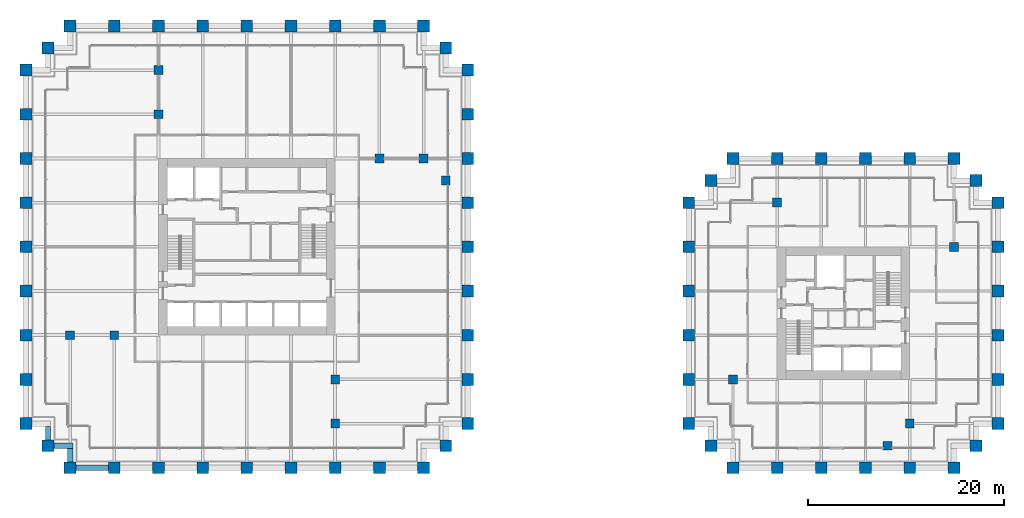
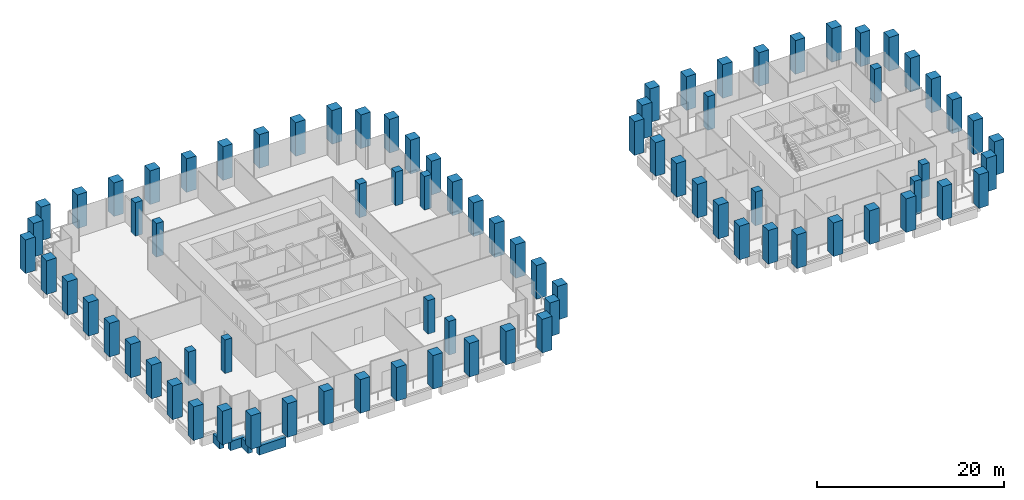
# One storey, part 1 of 36: 82 columns, 4 beams.
"""IFC4 building model written with IfcOpenShell, lengths in metres."""

from ifc_helpers import new_model, si_unit, direction, frame, origin, origin_2d, place, context, subcontext, project, spatial, rectangle, extrude, material, material_profile, profile_set, type_object, element, save


model = new_model("IFC4")

# Units and contexts
model_context = context("Model", 3, precision=1e-05, world=origin(), true_north=direction((0.0, 1.0)))
body_context = subcontext(model_context, "Body", "Model", "MODEL_VIEW")
ifc_project = project(units=[si_unit("LENGTHUNIT", "METRE"), si_unit("AREAUNIT", "SQUARE_METRE"), si_unit("VOLUMEUNIT", "CUBIC_METRE"), si_unit("PLANEANGLEUNIT", "RADIAN"), si_unit("MASSUNIT", "GRAM", prefix="KILO")], contexts=[model_context])

# Site, building, storey
site_placement = place(None, origin())
site = spatial("IfcSite", under=ifc_project, at=site_placement, CompositionType="ELEMENT")
building_placement = place(site_placement, origin())
building = spatial("IfcBuilding", under=site, at=building_placement, Name="Altepetl Exchange Towers", CompositionType="ELEMENT")
storey_placement = place(building_placement, frame((0.0, 0.0, 43.0)))
storey = spatial("IfcBuildingStorey", under=building, at=storey_placement, Name="L09", CompositionType="ELEMENT", Elevation=43.0)

# Columns
ifc_material_1 = material(Name="Concrete C70/85", Category="concrete")
ifc_material_profile_1 = material_profile(ifc_material_1, rectangle(XDim=0.89990234375, YDim=0.89990234375, at=origin_2d()), Name="900 x 900")
ifc_profile_set_1 = profile_set([ifc_material_profile_1], Name="Concrete C70/85")
column_type_1 = type_object("IfcColumnType", Name="Interior column 900", PredefinedType="COLUMN", material=ifc_profile_set_1)
for number, where, name in (
    (1, (31.5, 40.5, 0.0), "col:A:L09:040"),
    (2, (36.0, 40.5, 0.0), "col:A:L09:041"),
    (3, (40.5, 63.0, 0.0), "col:A:L09:042"),
    (4, (40.5, 67.5, 0.0), "col:A:L09:043"),
    (5, (58.5, 31.5, 0.0), "col:A:L09:044"),
    (6, (58.5, 36.0, 0.0), "col:A:L09:045"),
    (7, (63.0, 58.5, 0.0), "col:A:L09:046"),
    (8, (67.5, 58.5, 0.0), "col:A:L09:047"),
    (9, (69.75, 56.25, 0.0), "col:A:L09:048"),
    (10, (99.0, 36.0, 0.0), "col:B:L09:028"),
    (11, (103.5, 54.0, 0.0), "col:B:L09:029"),
    (12, (114.75, 29.25, 0.0), "col:B:L09:030"),
    (13, (117.0, 31.5, 0.0), "col:B:L09:031"),
    (14, (121.5, 49.5, 0.0), "col:B:L09:032"),
):
    element("IfcColumn", number, at=place(storey_placement, frame(where)), inside=storey, type_object=column_type_1, Name=name, PredefinedType="COLUMN", context=body_context, shape_type="SweptSolid", body=[
        extrude(rectangle(XDim=0.89990234375, YDim=0.89990234375, at=origin_2d()), origin(), (0.0, 0.0, 1.0), 4.39990234375),
    ])
ifc_material_2 = material(Name="Concrete C70/85 precast with cantera amarilla facing", Category="concrete")
ifc_material_profile_2 = material_profile(ifc_material_2, rectangle(XDim=1.199951171875, YDim=1.199951171875, at=origin_2d()), Name="1200 x 1200")
ifc_profile_set_2 = profile_set([ifc_material_profile_2], Name="Concrete C70/85 precast with cantera amarilla facing")
column_type_2 = type_object("IfcColumnType", Name="Perimeter column 1200 cantera amarilla", PredefinedType="COLUMN", material=ifc_profile_set_2)
for number, where, name in (
    (15, (58.5, 27.0, 0.0), "col:A:L09:006"),
    (16, (63.0, 27.0, 0.0), "col:A:L09:007"),
    (17, (67.5, 27.0, 0.0), "col:A:L09:008"),
    (18, (69.75, 29.25, 0.0), "col:A:L09:009"),
    (19, (72.0, 31.5, 0.0), "col:A:L09:010"),
    (20, (72.0, 36.0, 0.0), "col:A:L09:011"),
    (21, (72.0, 40.5, 0.0), "col:A:L09:012"),
    (22, (72.0, 45.0, 0.0), "col:A:L09:013"),
    (23, (72.0, 49.5, 0.0), "col:A:L09:014"),
    (24, (72.0, 54.0, 0.0), "col:A:L09:015"),
    (25, (126.0, 49.5, 0.0), "col:B:L09:011"),
    (26, (126.0, 54.0, 0.0), "col:B:L09:012"),
    (27, (123.75, 56.25, 0.0), "col:B:L09:013"),
    (28, (121.5, 58.5, 0.0), "col:B:L09:014"),
    (29, (117.0, 58.5, 0.0), "col:B:L09:015"),
    (30, (112.5, 58.5, 0.0), "col:B:L09:016"),
    (31, (108.0, 58.5, 0.0), "col:B:L09:017"),
):
    element("IfcColumn", number, at=place(storey_placement, frame(where)), inside=storey, type_object=column_type_2, Name=name, PredefinedType="COLUMN", context=body_context, shape_type="SweptSolid", body=[
        extrude(rectangle(XDim=1.199951171875, YDim=1.199951171875, at=origin_2d()), origin(), (0.0, 0.0, 1.0), 4.39990234375),
    ])
ifc_material_3 = material(Name="Concrete C70/85 precast with cantera blanca facing", Category="concrete")
ifc_material_profile_3 = material_profile(ifc_material_3, rectangle(XDim=1.199951171875, YDim=1.199951171875, at=origin_2d()), Name="1200 x 1200")
ifc_profile_set_3 = profile_set([ifc_material_profile_3], Name="Concrete C70/85 precast with cantera blanca facing")
column_type_3 = type_object("IfcColumnType", Name="Perimeter column 1200 cantera blanca", PredefinedType="COLUMN", material=ifc_profile_set_3)
for number, where, name in (
    (32, (31.5, 27.0, 0.0), "col:A:L09:000"),
    (33, (36.0, 27.0, 0.0), "col:A:L09:001"),
    (34, (40.5, 27.0, 0.0), "col:A:L09:002"),
    (35, (45.0, 27.0, 0.0), "col:A:L09:003"),
    (36, (49.5, 27.0, 0.0), "col:A:L09:004"),
    (37, (54.0, 27.0, 0.0), "col:A:L09:005"),
    (38, (27.0, 36.0, 0.0), "col:A:L09:037"),
    (39, (27.0, 31.5, 0.0), "col:A:L09:038"),
    (40, (29.25, 29.25, 0.0), "col:A:L09:039"),
    (41, (117.0, 27.0, 0.0), "col:B:L09:004"),
    (42, (121.5, 27.0, 0.0), "col:B:L09:005"),
    (43, (123.75, 29.25, 0.0), "col:B:L09:006"),
    (44, (126.0, 31.5, 0.0), "col:B:L09:007"),
    (45, (126.0, 36.0, 0.0), "col:B:L09:008"),
    (46, (126.0, 40.5, 0.0), "col:B:L09:009"),
    (47, (126.0, 45.0, 0.0), "col:B:L09:010"),
):
    element("IfcColumn", number, at=place(storey_placement, frame(where)), inside=storey, type_object=column_type_3, Name=name, PredefinedType="COLUMN", context=body_context, shape_type="SweptSolid", body=[
        extrude(rectangle(XDim=1.199951171875, YDim=1.199951171875, at=origin_2d()), origin(), (0.0, 0.0, 1.0), 4.39990234375),
    ])
ifc_material_4 = material(Name="Concrete C70/85 precast with cantera rosa facing", Category="concrete")
ifc_material_profile_4 = material_profile(ifc_material_4, rectangle(XDim=1.199951171875, YDim=1.199951171875, at=origin_2d()), Name="1200 x 1200")
ifc_profile_set_4 = profile_set([ifc_material_profile_4], Name="Concrete C70/85 precast with cantera rosa facing")
column_type_4 = type_object("IfcColumnType", Name="Perimeter column 1200 cantera rosa", PredefinedType="COLUMN", material=ifc_profile_set_4)
for number, where, name in (
    (48, (72.0, 58.5, 0.0), "col:A:L09:016"),
    (49, (72.0, 63.0, 0.0), "col:A:L09:017"),
    (50, (72.0, 67.5, 0.0), "col:A:L09:018"),
    (51, (69.75, 69.75, 0.0), "col:A:L09:019"),
    (52, (67.5, 72.0, 0.0), "col:A:L09:020"),
    (53, (63.0, 72.0, 0.0), "col:A:L09:021"),
    (54, (58.5, 72.0, 0.0), "col:A:L09:022"),
    (55, (54.0, 72.0, 0.0), "col:A:L09:023"),
    (56, (49.5, 72.0, 0.0), "col:A:L09:024"),
    (57, (45.0, 72.0, 0.0), "col:A:L09:025"),
    (58, (103.5, 58.5, 0.0), "col:B:L09:018"),
    (59, (99.0, 58.5, 0.0), "col:B:L09:019"),
    (60, (96.75, 56.25, 0.0), "col:B:L09:020"),
    (61, (94.5, 54.0, 0.0), "col:B:L09:021"),
    (62, (94.5, 49.5, 0.0), "col:B:L09:022"),
    (63, (94.5, 45.0, 0.0), "col:B:L09:023"),
    (64, (94.5, 40.5, 0.0), "col:B:L09:024"),
    (65, (94.5, 36.0, 0.0), "col:B:L09:025"),
):
    element("IfcColumn", number, at=place(storey_placement, frame(where)), inside=storey, type_object=column_type_4, Name=name, PredefinedType="COLUMN", context=body_context, shape_type="SweptSolid", body=[
        extrude(rectangle(XDim=1.199951171875, YDim=1.199951171875, at=origin_2d()), origin(), (0.0, 0.0, 1.0), 4.39990234375),
    ])
ifc_material_5 = material(Name="Concrete C70/85 precast with tezontle facing", Category="concrete")
ifc_material_profile_5 = material_profile(ifc_material_5, rectangle(XDim=1.199951171875, YDim=1.199951171875, at=origin_2d()), Name="1200 x 1200")
ifc_profile_set_5 = profile_set([ifc_material_profile_5], Name="Concrete C70/85 precast with tezontle facing")
column_type_5 = type_object("IfcColumnType", Name="Perimeter column 1200 tezontle", PredefinedType="COLUMN", material=ifc_profile_set_5)
for number, where, name in (
    (66, (40.5, 72.0, 0.0), "col:A:L09:026"),
    (67, (36.0, 72.0, 0.0), "col:A:L09:027"),
    (68, (31.5, 72.0, 0.0), "col:A:L09:028"),
    (69, (29.25, 69.75, 0.0), "col:A:L09:029"),
    (70, (27.0, 67.5, 0.0), "col:A:L09:030"),
    (71, (27.0, 63.0, 0.0), "col:A:L09:031"),
    (72, (27.0, 58.5, 0.0), "col:A:L09:032"),
    (73, (27.0, 54.0, 0.0), "col:A:L09:033"),
    (74, (27.0, 49.5, 0.0), "col:A:L09:034"),
    (75, (27.0, 45.0, 0.0), "col:A:L09:035"),
    (76, (27.0, 40.5, 0.0), "col:A:L09:036"),
    (77, (99.0, 27.0, 0.0), "col:B:L09:000"),
    (78, (103.5, 27.0, 0.0), "col:B:L09:001"),
    (79, (108.0, 27.0, 0.0), "col:B:L09:002"),
    (80, (112.5, 27.0, 0.0), "col:B:L09:003"),
    (81, (94.5, 31.5, 0.0), "col:B:L09:026"),
    (82, (96.75, 29.25, 0.0), "col:B:L09:027"),
):
    element("IfcColumn", number, at=place(storey_placement, frame(where)), inside=storey, type_object=column_type_5, Name=name, PredefinedType="COLUMN", context=body_context, shape_type="SweptSolid", body=[
        extrude(rectangle(XDim=1.199951171875, YDim=1.199951171875, at=origin_2d()), origin(), (0.0, 0.0, 1.0), 4.39990234375),
    ])

# Beams
ifc_material_6 = material(Name="Concrete C50/60 precast with cantera blanca facing", Category="concrete")
ifc_material_profile_6 = material_profile(ifc_material_6, rectangle(XDim=0.550048828125, YDim=1.199951171875, at=origin_2d()), Name="550 x 1200")
ifc_profile_set_6 = profile_set([ifc_material_profile_6], Name="Concrete C50/60 precast with cantera blanca facing")
beam_type = type_object("IfcBeamType", Name="Spandrel beam 550x1200 cantera blanca", PredefinedType="SPANDREL", material=ifc_profile_set_6)
beam_1_placement = place(storey_placement, frame((32.10009765625, 27.0, -0.77490234375), z_axis=(1.0, 0.0, 0.0), x_axis=(0.0, 1.0, 0.0)))
element("IfcBeam", 83, at=beam_1_placement, inside=storey, type_object=beam_type, Name="sp:A:L09:000", PredefinedType="SPANDREL", context=body_context, shape_type="SweptSolid", body=[
    extrude(rectangle(XDim=0.550048828125, YDim=1.199951171875, at=origin_2d()), origin(), (0.0, 0.0, 1.0), 3.2998046875),
])
beam_2_placement = place(storey_placement, frame((29.25, 31.22509765625, -0.77490234375), z_axis=(0.0, -1.0, 0.0), x_axis=(1.0, 0.0, 0.0)))
element("IfcBeam", 84, at=beam_2_placement, inside=storey, type_object=beam_type, Name="sp:A:L09:045", PredefinedType="SPANDREL", context=body_context, shape_type="SweptSolid", body=[
    extrude(rectangle(XDim=0.550048828125, YDim=1.199951171875, at=origin_2d()), origin(), (0.0, 0.0, 1.0), 1.375),
])
beam_3_placement = place(storey_placement, frame((29.85009765625, 29.25, -0.77490234375), z_axis=(1.0, 0.0, 0.0), x_axis=(0.0, 1.0, 0.0)))
element("IfcBeam", 85, at=beam_3_placement, inside=storey, type_object=beam_type, Name="sp:A:L09:046", PredefinedType="SPANDREL", context=body_context, shape_type="SweptSolid", body=[
    extrude(rectangle(XDim=0.550048828125, YDim=1.199951171875, at=origin_2d()), origin(), (0.0, 0.0, 1.0), 1.9248046875),
])
beam_4_placement = place(storey_placement, frame((31.5, 28.97509765625, -0.77490234375), z_axis=(0.0, -1.0, 0.0), x_axis=(1.0, 0.0, 0.0)))
element("IfcBeam", 86, at=beam_4_placement, inside=storey, type_object=beam_type, Name="sp:A:L09:047", PredefinedType="SPANDREL", context=body_context, shape_type="SweptSolid", body=[
    extrude(rectangle(XDim=0.550048828125, YDim=1.199951171875, at=origin_2d()), origin(), (0.0, 0.0, 1.0), 1.375),
])

save(model, "model.ifc")
